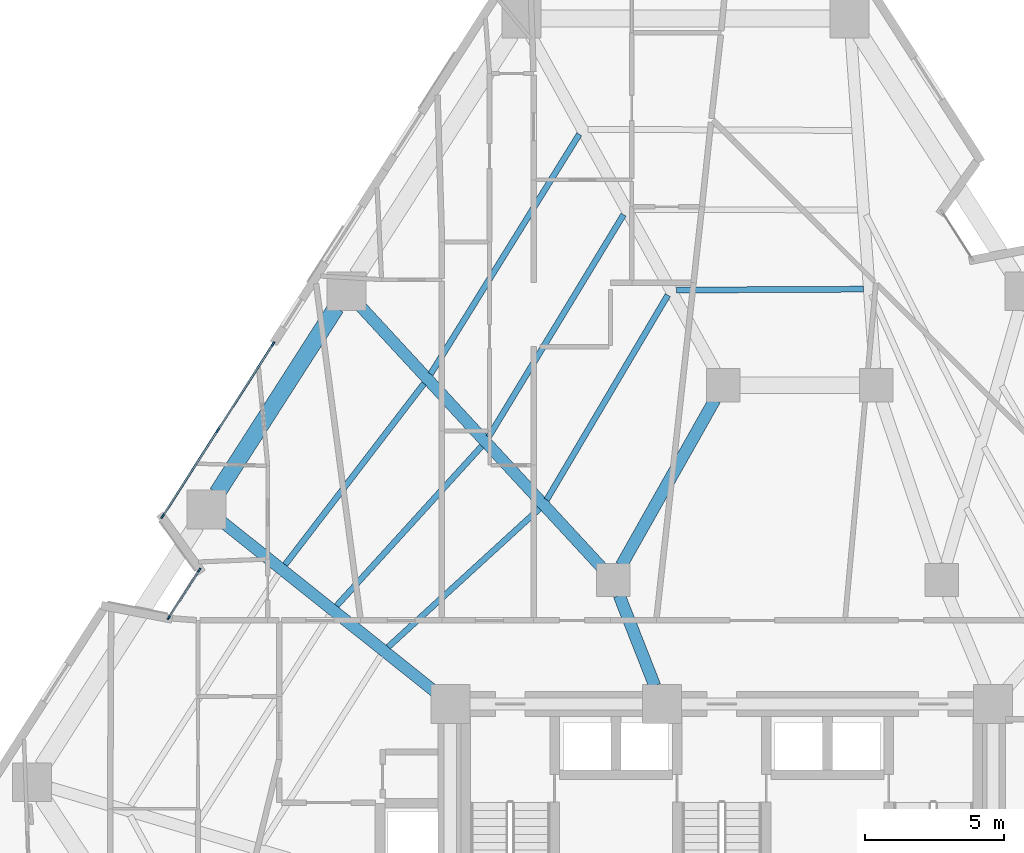
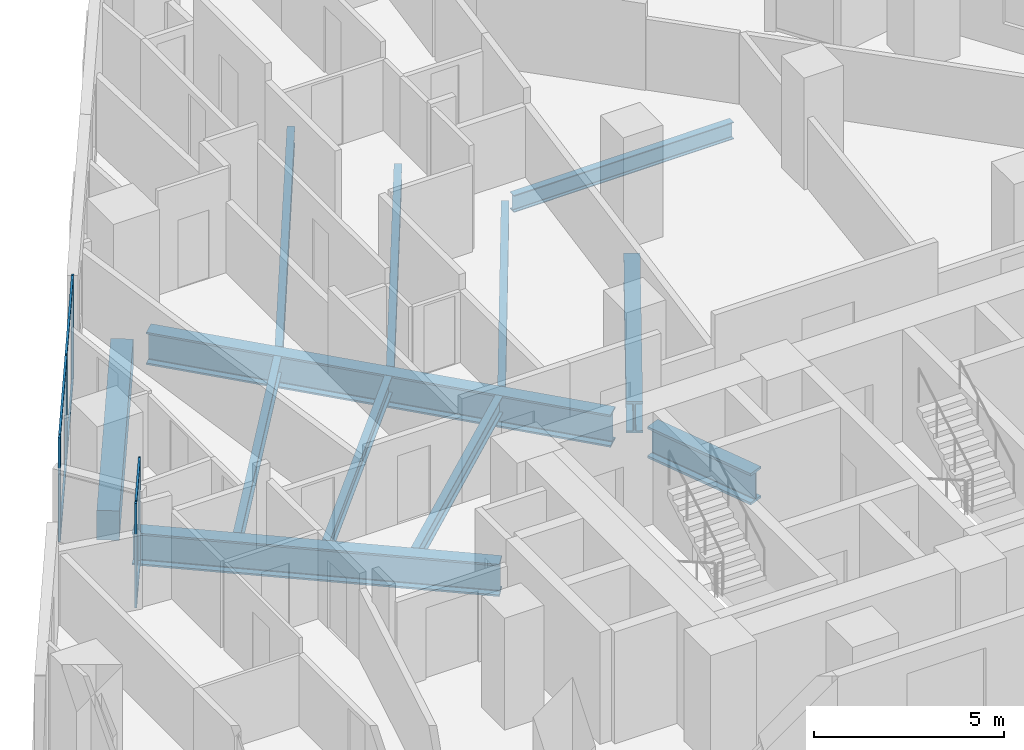
# One storey, part 2 of 13: 12 beams, 11 members, 2 elements without a shape of their own.
"""IFC4 building model written with IfcOpenShell, lengths in metres."""

from ifc_helpers import new_model, si_unit, direction, frame, origin, origin_2d, place, context, subcontext, project, spatial, rectangle, i_section, extrude, material, layer, layer_set, material_profile, profile_set, type_object, element, aggregate, save


model = new_model("IFC4")

# Units and contexts
model_context = context("Model", 3, precision=1e-05, world=origin(), true_north=direction((0.0, 1.0)))
body_context = subcontext(model_context, "Body", "Model", "MODEL_VIEW")
ifc_project = project(units=[si_unit("LENGTHUNIT", "METRE"), si_unit("AREAUNIT", "SQUARE_METRE"), si_unit("VOLUMEUNIT", "CUBIC_METRE"), si_unit("PLANEANGLEUNIT", "RADIAN"), si_unit("MASSUNIT", "GRAM", prefix="KILO")], contexts=[model_context])

# Site, building, storey
site_placement = place(None, origin())
site = spatial("IfcSite", under=ifc_project, at=site_placement, CompositionType="ELEMENT")
building_placement = place(site_placement, origin())
building = spatial("IfcBuilding", under=site, at=building_placement, Name="Almagre Mirador Tower", CompositionType="ELEMENT")
storey_placement = place(building_placement, frame((0.0, 0.0, 42.60009765625)))
storey = spatial("IfcBuildingStorey", under=building, at=storey_placement, Name="L09", CompositionType="ELEMENT", Elevation=42.60009765625)

# Beams
ifc_material_1 = material(Name="Steel ASTM A992 Grade 50", Category="steel")
ifc_material_profile_1 = material_profile(ifc_material_1, i_section(OverallWidth=0.214111328125, OverallDepth=0.549072265625, WebThickness=0.0146484375, FlangeThickness=0.023681640625, FilletRadius=0.01806640625, at=origin_2d()), Name="W21X93")
ifc_profile_set_1 = profile_set([ifc_material_profile_1], Name="Steel ASTM A992 Grade 50")
beam_type_1 = type_object("IfcBeamType", Name="BM-JST-W21X93", PredefinedType="JOIST", material=ifc_profile_set_1)
beam_1_placement = place(storey_placement, frame((42.391357421875, 29.647705078125, -0.524658203125), z_axis=(-0.999988115515, -0.004875328633, 0.0), x_axis=(0.004875328633, -0.999988115515, 0.0)))
element("IfcBeam", 1, at=beam_1_placement, inside=storey, type_object=beam_type_1, Name="L09 secondary floor joist PC08-PC09.3", PredefinedType="JOIST", context=body_context, shape_type="SweptSolid", body=[
    extrude(i_section(OverallWidth=0.214111328125, OverallDepth=0.549072265625, WebThickness=0.0146484375, FlangeThickness=0.023681640625, FilletRadius=0.01806640625, at=origin_2d()), origin(), (0.0, 0.0, 1.0), 6.710205078125),
])
beam_2_placement = place(storey_placement, frame((32.18310546875, 35.212158203125, -0.524658203125), z_axis=(-0.527013798236, -0.849856727024, 0.0), x_axis=(0.849856727024, -0.527013798236, 0.0)))
element("IfcBeam", 2, at=beam_2_placement, inside=storey, type_object=beam_type_1, Name="L09 secondary floor joist PC09-PC10.1", PredefinedType="JOIST", context=body_context, shape_type="SweptSolid", body=[
    extrude(i_section(OverallWidth=0.214111328125, OverallDepth=0.549072265625, WebThickness=0.0146484375, FlangeThickness=0.023681640625, FilletRadius=0.01806640625, at=origin_2d()), origin(), (0.0, 0.0, 1.0), 10.134033203125),
])
beam_3_placement = place(storey_placement, frame((33.773681640625, 32.322998046875, -0.524658203125), z_axis=(-0.518956302824, -0.854800769629, 0.0), x_axis=(0.854800769629, -0.518956302824, 0.0)))
element("IfcBeam", 3, at=beam_3_placement, inside=storey, type_object=beam_type_1, Name="L09 secondary floor joist PC09-PC10.2", PredefinedType="JOIST", context=body_context, shape_type="SweptSolid", body=[
    extrude(i_section(OverallWidth=0.214111328125, OverallDepth=0.549072265625, WebThickness=0.0146484375, FlangeThickness=0.023681640625, FilletRadius=0.01806640625, at=origin_2d()), origin(), (0.0, 0.0, 1.0), 9.33837890625),
])
beam_4_placement = place(storey_placement, frame((35.364990234375, 29.43359375, -0.524658203125), z_axis=(-0.509402085544, -0.860528625464, 0.0), x_axis=(0.860528625464, -0.509402085544, 0.0)))
element("IfcBeam", 4, at=beam_4_placement, inside=storey, type_object=beam_type_1, Name="L09 secondary floor joist PC09-PC10.3", PredefinedType="JOIST", context=body_context, shape_type="SweptSolid", body=[
    extrude(i_section(OverallWidth=0.214111328125, OverallDepth=0.549072265625, WebThickness=0.0146484375, FlangeThickness=0.023681640625, FilletRadius=0.01806640625, at=origin_2d()), origin(), (0.0, 0.0, 1.0), 8.5439453125),
])
beam_5_placement = place(storey_placement, frame((26.604248046875, 26.25537109375, -0.524658203125), z_axis=(-0.60855411007, -0.793512378679, 0.0), x_axis=(0.793512378679, -0.60855411007, 0.0)))
element("IfcBeam", 5, at=beam_5_placement, inside=storey, type_object=beam_type_1, Name="L09 secondary floor joist PC10-PC11.1", PredefinedType="JOIST", context=body_context, shape_type="SweptSolid", body=[
    extrude(i_section(OverallWidth=0.214111328125, OverallDepth=0.549072265625, WebThickness=0.0146484375, FlangeThickness=0.023681640625, FilletRadius=0.01806640625, at=origin_2d()), origin(), (0.0, 0.0, 1.0), 8.19580078125),
])
beam_6_placement = place(storey_placement, frame((28.677978515625, 24.00634765625, -0.524658203125), z_axis=(-0.672610039323, -0.739997118239, 0.0), x_axis=(0.739997118239, -0.672610039323, 0.0)))
element("IfcBeam", 6, at=beam_6_placement, inside=storey, type_object=beam_type_1, Name="L09 secondary floor joist PC10-PC11.2", PredefinedType="JOIST", context=body_context, shape_type="SweptSolid", body=[
    extrude(i_section(OverallWidth=0.214111328125, OverallDepth=0.549072265625, WebThickness=0.0146484375, FlangeThickness=0.023681640625, FilletRadius=0.01806640625, at=origin_2d()), origin(), (0.0, 0.0, 1.0), 7.745849609375),
])
beam_7_placement = place(storey_placement, frame((30.751220703125, 21.759765625, -0.524658203125), z_axis=(-0.73806232468, -0.674732543225, 0.0), x_axis=(0.674732543225, -0.73806232468, 0.0)))
element("IfcBeam", 7, at=beam_7_placement, inside=storey, type_object=beam_type_1, Name="L09 secondary floor joist PC10-PC11.3", PredefinedType="JOIST", context=body_context, shape_type="SweptSolid", body=[
    extrude(i_section(OverallWidth=0.214111328125, OverallDepth=0.549072265625, WebThickness=0.0146484375, FlangeThickness=0.023681640625, FilletRadius=0.01806640625, at=origin_2d()), origin(), (0.0, 0.0, 1.0), 7.359375),
])
ifc_material_2 = material(Name="Precast concrete C50/60", Category="concrete")
ifc_material_profile_2 = material_profile(ifc_material_2, rectangle(XDim=0.60009765625, YDim=0.949951171875, at=origin_2d()), Name="RC600X950")
ifc_profile_set_2 = profile_set([ifc_material_profile_2], Name="Precast concrete C50/60")
beam_type_2 = type_object("IfcBeamType", Name="BM-SPN-RC600X950", PredefinedType="SPANDREL", material=ifc_profile_set_2)
beam_8_placement = place(storey_placement, frame((23.4443359375, 28.983642578125, -0.72509765625), z_axis=(-0.539540486584, -0.841959656597, 0.0), x_axis=(0.841959656597, -0.539540486584, 0.0)))
element("IfcBeam", 8, at=beam_8_placement, inside=storey, type_object=beam_type_2, Name="L09 perimeter spandrel beam PC10-PC11", PredefinedType="SPANDREL", context=body_context, shape_type="SweptSolid", body=[
    extrude(rectangle(XDim=0.60009765625, YDim=0.949951171875, at=origin_2d()), origin(), (0.0, 0.0, 1.0), 7.911376953125),
])
ifc_material_3 = material(Name="Steel ASTM A992 Grade 50", Category="steel")
ifc_material_profile_3 = material_profile(ifc_material_3, i_section(OverallWidth=0.43701171875, OverallDepth=1.010986328125, WebThickness=0.041015625, FlangeThickness=0.073974609375, FilletRadius=0.028076171875, at=origin_2d()), Name="W36X529")
ifc_profile_set_3 = profile_set([ifc_material_profile_3], Name="Steel ASTM A992 Grade 50")
beam_type_3 = type_object("IfcBeamType", Name="BM-STL-W36X529", PredefinedType="BEAM", material=ifc_profile_set_3)
beam_9_placement = place(storey_placement, frame((37.05517578125, 25.677490234375, -0.755615234375), z_axis=(-0.491440637516, -0.870911074564, 0.0), x_axis=(0.870911074564, -0.491440637516, 0.0)))
element("IfcBeam", 9, at=beam_9_placement, inside=storey, type_object=beam_type_3, Name="L09 core tie girder MC7-MC8", PredefinedType="BEAM", context=body_context, shape_type="SweptSolid", body=[
    extrude(i_section(OverallWidth=0.43701171875, OverallDepth=1.010986328125, WebThickness=0.041015625, FlangeThickness=0.073974609375, FilletRadius=0.028076171875, at=origin_2d()), origin(), (0.0, 0.0, 1.0), 6.837646484375),
])
beam_10_placement = place(storey_placement, frame((33.61962890625, 18.6416015625, -0.755615234375), z_axis=(0.365956076985, -0.93063212373, 0.0), x_axis=(0.93063212373, 0.365956076985, 0.0)))
element("IfcBeam", 10, at=beam_10_placement, inside=storey, type_object=beam_type_3, Name="L09 core tie girder MC8-CC5", PredefinedType="BEAM", context=body_context, shape_type="SweptSolid", body=[
    extrude(i_section(OverallWidth=0.43701171875, OverallDepth=1.010986328125, WebThickness=0.041015625, FlangeThickness=0.073974609375, FilletRadius=0.028076171875, at=origin_2d()), origin(), (0.0, 0.0, 1.0), 3.481689453125),
])
ifc_material_4 = material(Name="Steel ASTM A913 Grade 65", Category="steel")
ifc_material_profile_4 = material_profile(ifc_material_4, i_section(OverallWidth=0.4189453125, OverallDepth=1.041015625, WebThickness=0.031005859375, FlangeThickness=0.055908203125, FilletRadius=0.030029296875, at=origin_2d()), Name="W40X397")
ifc_profile_set_4 = profile_set([ifc_material_profile_4], Name="Steel ASTM A913 Grade 65")
beam_type_4 = type_object("IfcBeamType", Name="BM-STL-W40X397", PredefinedType="BEAM", material=ifc_profile_set_4)
beam_11_placement = place(storey_placement, frame((24.296875, 29.05859375, -0.7705078125), z_axis=(0.678396377754, -0.734696096798, 0.0), x_axis=(0.734696096798, 0.678396377754, 0.0)))
element("IfcBeam", 11, at=beam_11_placement, inside=storey, type_object=beam_type_4, Name="L09 radial floor girder PC10-MC8", PredefinedType="BEAM", context=body_context, shape_type="SweptSolid", body=[
    extrude(i_section(OverallWidth=0.4189453125, OverallDepth=1.041015625, WebThickness=0.031005859375, FlangeThickness=0.055908203125, FilletRadius=0.030029296875, at=origin_2d()), origin(), (0.0, 0.0, 1.0), 12.818603515625),
])
beam_12_placement = place(storey_placement, frame((19.34521484375, 21.29638671875, -0.7705078125), z_axis=(0.78167052396, -0.623691584015, 0.0), x_axis=(0.623691584015, 0.78167052396, 0.0)))
element("IfcBeam", 12, at=beam_12_placement, inside=storey, type_object=beam_type_4, Name="L09 radial floor girder PC11-CC4", PredefinedType="BEAM", context=body_context, shape_type="SweptSolid", body=[
    extrude(i_section(OverallWidth=0.4189453125, OverallDepth=1.041015625, WebThickness=0.031005859375, FlangeThickness=0.055908203125, FilletRadius=0.030029296875, at=origin_2d()), origin(), (0.0, 0.0, 1.0), 9.79638671875),
])

# Curtain wall, members
ifc_material_5 = material(Name="Black anodized aluminium", Category="aluminium")
ifc_layer_1 = layer(ifc_material_5, 0.169921875)
ifc_layer_set_1 = layer_set([ifc_layer_1], Name="Black anodized aluminium")
curtain_wall_type_1 = type_object("IfcCurtainWallType", Name="CW-CRS-SYS", PredefinedType="NOTDEFINED", material=ifc_layer_set_1)
curtain_wall_1_placement = place(storey_placement, origin())
curtain_wall_1 = element("IfcCurtainWall", 13, at=curtain_wall_1_placement, inside=storey, type_object=curtain_wall_type_1, Name="L09 vertical crease curtain wall 01", PredefinedType="NOTDEFINED")
ifc_material_6 = material(Name="Black anodized aluminium", Category="aluminium")
ifc_material_profile_5 = material_profile(ifc_material_6, rectangle(XDim=0.06005859375, YDim=0.14990234375, at=origin_2d()), Name="CWM60X150")
ifc_profile_set_5 = profile_set([ifc_material_profile_5], Name="Black anodized aluminium")
member_type_1 = type_object("IfcMemberType", Name="MBR-CWM60X150", PredefinedType="MULLION", material=ifc_profile_set_5)
member_1_placement = place(storey_placement, frame((17.436279296875, 17.84619140625, 0.0), z_axis=(0.0, 0.0, 1.0), x_axis=(-0.841923718176, 0.539596564827, 0.0)))
member_1 = element("IfcMember", 14, at=member_1_placement, type_object=member_type_1, Name="CW-4 mullion 1", PredefinedType="MULLION", context=body_context, shape_type="SweptSolid", body=[
    extrude(rectangle(XDim=0.06005859375, YDim=0.14990234375, at=origin_2d()), origin(), (0.0, 0.0, 1.0), 3.349853515625),
])
member_2_placement = place(storey_placement, frame((18.53173828125, 19.5556640625, 0.0), z_axis=(0.0, 0.0, 1.0), x_axis=(-0.841923718176, 0.539596564827, 0.0)))
member_2 = element("IfcMember", 15, at=member_2_placement, type_object=member_type_1, Name="CW-4 mullion 2", PredefinedType="MULLION", context=body_context, shape_type="SweptSolid", body=[
    extrude(rectangle(XDim=0.06005859375, YDim=0.14990234375, at=origin_2d()), origin(), (0.0, 0.0, 1.0), 3.349853515625),
])

ifc_material_7 = material(Name="Black anodized aluminium", Category="aluminium")
ifc_layer_2 = layer(ifc_material_7, 0.18994140625)
ifc_layer_set_2 = layer_set([ifc_layer_2], Name="Black anodized aluminium")
curtain_wall_type_2 = type_object("IfcCurtainWallType", Name="CW-RES-L-SYS", PredefinedType="NOTDEFINED", material=ifc_layer_set_2)
curtain_wall_2_placement = place(storey_placement, origin())
curtain_wall_2 = element("IfcCurtainWall", 16, at=curtain_wall_2_placement, inside=storey, type_object=curtain_wall_type_2, Name="L09 curtain wall run 02", PredefinedType="NOTDEFINED")
ifc_material_8 = material(Name="Black anodized aluminium", Category="aluminium")
ifc_material_profile_6 = material_profile(ifc_material_8, rectangle(XDim=0.06494140625, YDim=0.179931640625, at=origin_2d()), Name="CWM65X180")
ifc_profile_set_6 = profile_set([ifc_material_profile_6], Name="Black anodized aluminium")
member_type_2 = type_object("IfcMemberType", Name="MBR-CWM65X180", PredefinedType="MULLION", material=ifc_profile_set_6)
member_3_placement = place(storey_placement, frame((17.216552734375, 21.48828125, 0.0), z_axis=(0.0, 0.0, 1.0), x_axis=(-0.841960549792, 0.539539092739, 0.0)))
member_3 = element("IfcMember", 17, at=member_3_placement, type_object=member_type_2, Name="CW-2 mullion 1", PredefinedType="MULLION", context=body_context, shape_type="SweptSolid", body=[
    extrude(rectangle(XDim=0.06494140625, YDim=0.179931640625, at=origin_2d()), origin(), (0.0, 0.0, 1.0), 3.349853515625),
])
member_4_placement = place(storey_placement, frame((19.198486328125, 24.5810546875, 0.0), z_axis=(0.0, 0.0, 1.0), x_axis=(-0.841960549792, 0.539539092739, 0.0)))
member_4 = element("IfcMember", 18, at=member_4_placement, type_object=member_type_2, Name="CW-2 mullion 2", PredefinedType="MULLION", context=body_context, shape_type="SweptSolid", body=[
    extrude(rectangle(XDim=0.06494140625, YDim=0.179931640625, at=origin_2d()), origin(), (0.0, 0.0, 1.0), 3.349853515625),
])
member_5_placement = place(storey_placement, frame((21.18017578125, 27.673828125, 0.0), z_axis=(0.0, 0.0, 1.0), x_axis=(-0.841960549792, 0.539539092739, 0.0)))
member_5 = element("IfcMember", 19, at=member_5_placement, type_object=member_type_2, Name="CW-2 mullion 3", PredefinedType="MULLION", context=body_context, shape_type="SweptSolid", body=[
    extrude(rectangle(XDim=0.06494140625, YDim=0.179931640625, at=origin_2d()), origin(), (0.0, 0.0, 1.0), 3.349853515625),
])

# Member
ifc_material_9 = material(Name="Black anodized aluminium", Category="aluminium")
ifc_material_profile_7 = material_profile(ifc_material_9, rectangle(XDim=0.06005859375, YDim=0.1298828125, at=origin_2d()), Name="CWT60X130")
ifc_profile_set_7 = profile_set([ifc_material_profile_7], Name="Black anodized aluminium")
member_type_3 = type_object("IfcMemberType", Name="MBR-CWT60X130", PredefinedType="USERDEFINED", material=ifc_profile_set_7)
member_6_placement = place(storey_placement, frame((17.452392578125, 17.87158203125, 0.02978515625), z_axis=(0.539598560897, 0.841922438873, 0.0), x_axis=(-0.841922438873, 0.539598560897, 0.0)))
member_6 = element("IfcMember", 20, at=member_6_placement, type_object=member_type_3, Name="CW-4 transom 1.1", ObjectType="TRANSOM", PredefinedType="USERDEFINED", context=body_context, shape_type="SweptSolid", body=[
    extrude(rectangle(XDim=0.06005859375, YDim=0.1298828125, at=origin_2d()), origin(), (0.0, 0.0, 1.0), 1.970458984375),
])

member_7_placement = place(storey_placement, frame((17.452392578125, 17.87158203125, 3.31982421875), z_axis=(0.539598560897, 0.841922438873, 0.0), x_axis=(-0.841922438873, 0.539598560897, 0.0)))
member_7 = element("IfcMember", 21, at=member_7_placement, type_object=member_type_3, Name="CW-4 transom 1.2", ObjectType="TRANSOM", PredefinedType="USERDEFINED", context=body_context, shape_type="SweptSolid", body=[
    extrude(rectangle(XDim=0.06005859375, YDim=0.1298828125, at=origin_2d()), origin(), (0.0, 0.0, 1.0), 1.970458984375),
])

aggregate(curtain_wall_1, [member_1, member_2, member_6, member_7])

member_8_placement = place(storey_placement, frame((17.234130859375, 21.515625, 0.02978515625), z_axis=(0.53952593054, 0.841968984153, 0.0), x_axis=(-0.841968984153, 0.53952593054, 0.0)))
member_8 = element("IfcMember", 22, at=member_8_placement, type_object=member_type_3, Name="CW-2 transom 1.1", ObjectType="TRANSOM", PredefinedType="USERDEFINED", context=body_context, shape_type="SweptSolid", body=[
    extrude(rectangle(XDim=0.06005859375, YDim=0.1298828125, at=origin_2d()), origin(), (0.0, 0.0, 1.0), 3.6083984375),
])

member_9_placement = place(storey_placement, frame((17.234130859375, 21.515625, 3.31982421875), z_axis=(0.53952593054, 0.841968984153, 0.0), x_axis=(-0.841968984153, 0.53952593054, 0.0)))
member_9 = element("IfcMember", 23, at=member_9_placement, type_object=member_type_3, Name="CW-2 transom 1.2", ObjectType="TRANSOM", PredefinedType="USERDEFINED", context=body_context, shape_type="SweptSolid", body=[
    extrude(rectangle(XDim=0.06005859375, YDim=0.1298828125, at=origin_2d()), origin(), (0.0, 0.0, 1.0), 3.6083984375),
])

member_10_placement = place(storey_placement, frame((19.2158203125, 24.6083984375, 0.02978515625), z_axis=(0.539573893336, 0.84193824811, 0.0), x_axis=(-0.84193824811, 0.539573893336, 0.0)))
member_10 = element("IfcMember", 24, at=member_10_placement, type_object=member_type_3, Name="CW-2 transom 2.1", ObjectType="TRANSOM", PredefinedType="USERDEFINED", context=body_context, shape_type="SweptSolid", body=[
    extrude(rectangle(XDim=0.06005859375, YDim=0.1298828125, at=origin_2d()), origin(), (0.0, 0.0, 1.0), 3.6083984375),
])

member_11_placement = place(storey_placement, frame((19.2158203125, 24.6083984375, 3.31982421875), z_axis=(0.539573893336, 0.84193824811, 0.0), x_axis=(-0.84193824811, 0.539573893336, 0.0)))
member_11 = element("IfcMember", 25, at=member_11_placement, type_object=member_type_3, Name="CW-2 transom 2.2", ObjectType="TRANSOM", PredefinedType="USERDEFINED", context=body_context, shape_type="SweptSolid", body=[
    extrude(rectangle(XDim=0.06005859375, YDim=0.1298828125, at=origin_2d()), origin(), (0.0, 0.0, 1.0), 3.6083984375),
])

aggregate(curtain_wall_2, [member_3, member_4, member_5, member_8, member_9, member_10, member_11])

save(model, "model.ifc")
